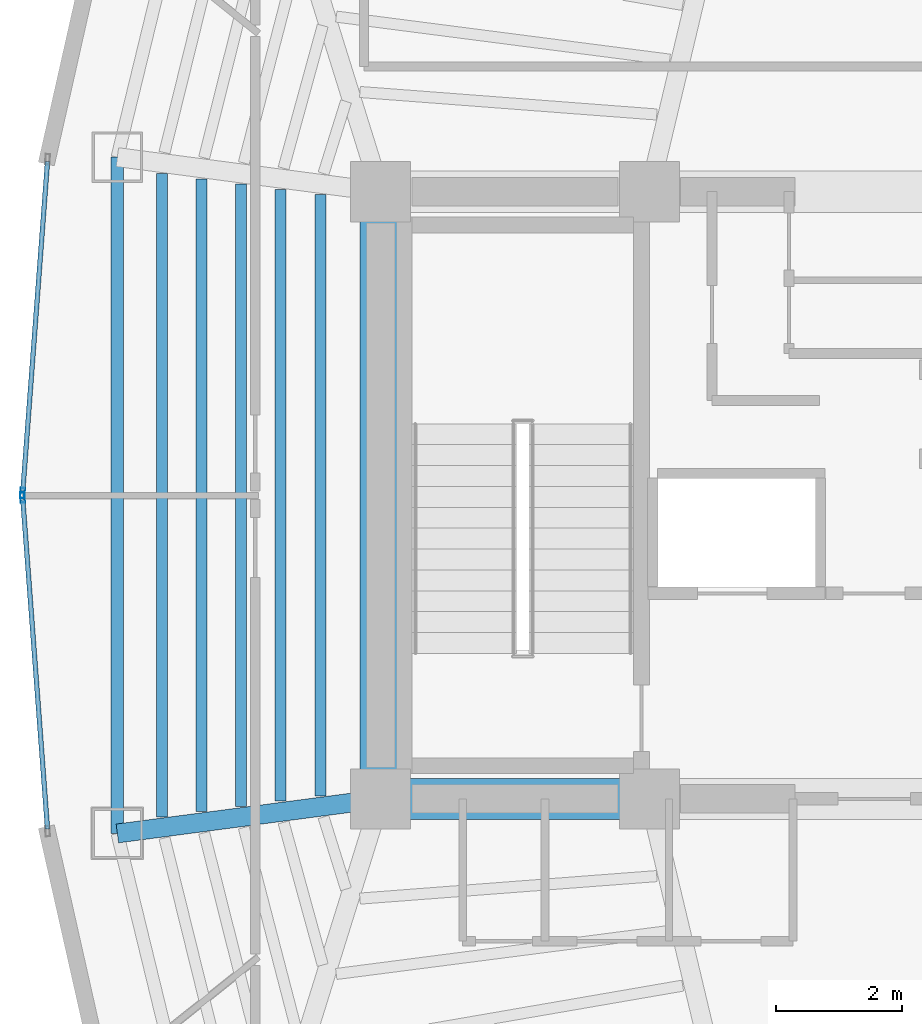
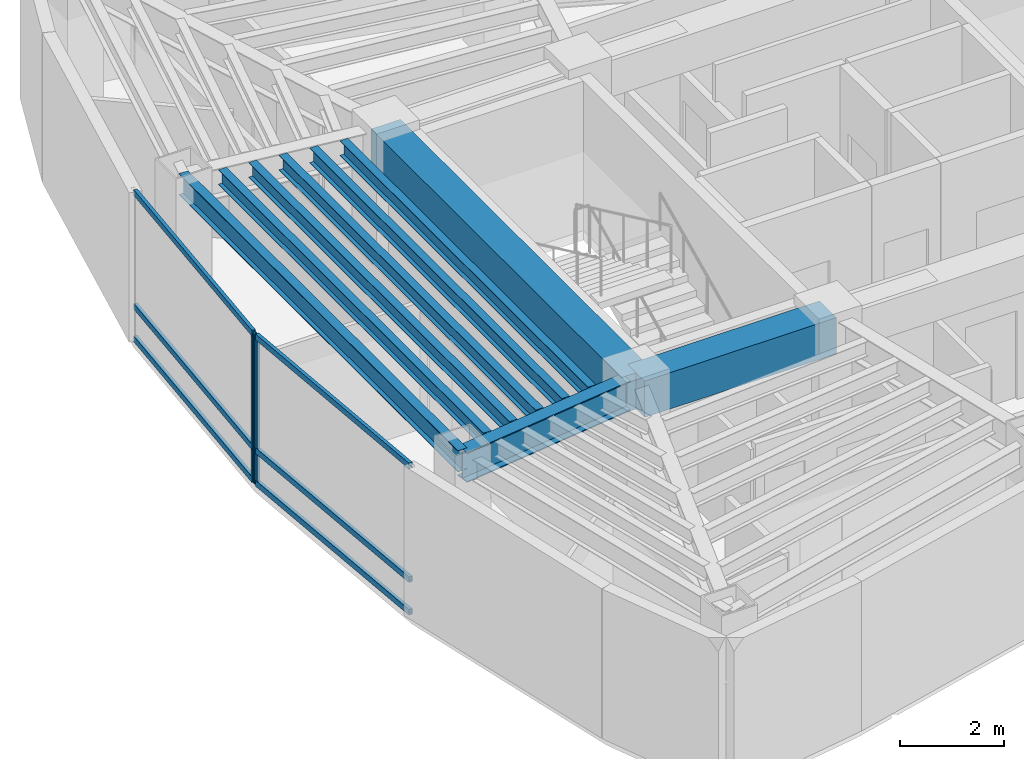
# One storey, part 4 of 15: 9 beams, 8 members, 2 elements without a shape of their own.
"""IFC4 building model written with IfcOpenShell, lengths in metres."""

from ifc_helpers import new_model, si_unit, direction, frame, origin, origin_2d, place, context, subcontext, project, spatial, rectangle, hollow_rectangle, i_section, extrude, material, layer, layer_set, material_profile, profile_set, type_object, element, aggregate, save


model = new_model("IFC4")

# Units and contexts
model_context = context("Model", 3, precision=1e-05, world=origin(), true_north=direction((0.0, 1.0)))
body_context = subcontext(model_context, "Body", "Model", "MODEL_VIEW")
ifc_project = project(units=[si_unit("LENGTHUNIT", "METRE"), si_unit("AREAUNIT", "SQUARE_METRE"), si_unit("VOLUMEUNIT", "CUBIC_METRE"), si_unit("PLANEANGLEUNIT", "RADIAN"), si_unit("MASSUNIT", "GRAM", prefix="KILO")], contexts=[model_context])

# Site, building, storey
site_placement = place(None, origin())
site = spatial("IfcSite", under=ifc_project, at=site_placement, CompositionType="ELEMENT")
building_placement = place(site_placement, origin())
building = spatial("IfcBuilding", under=site, at=building_placement, Name="Menara Vayukalpa", CompositionType="ELEMENT")
storey_placement = place(building_placement, frame((0.0, 0.0, 258.300048828125)))
storey = spatial("IfcBuildingStorey", under=building, at=storey_placement, Name="L65", CompositionType="ELEMENT", Elevation=258.300048828125)

# Beams
ifc_material_1 = material(Name="Concrete C60/75", Category="concrete")
ifc_material_profile_1 = material_profile(ifc_material_1, rectangle(XDim=0.64990234375, YDim=0.85009765625, at=origin_2d()), Name="RC 650x850")
ifc_profile_set_1 = profile_set([ifc_material_profile_1], Name="Concrete C60/75")
beam_type_1 = type_object("IfcBeamType", Name="BM-CB1", PredefinedType="BEAM", material=ifc_profile_set_1)
beam_1_placement = place(storey_placement, frame((17.800048828125, 17.199951171875, 3.074951171875), z_axis=(1.0, 0.0, 0.0), x_axis=(0.0, 1.0, 0.0)))
element("IfcBeam", 1, at=beam_1_placement, inside=storey, type_object=beam_type_1, Name="L65 Core Tie Beam CBR1", PredefinedType="BEAM", context=body_context, shape_type="SweptSolid", body=[
    extrude(rectangle(XDim=0.64990234375, YDim=0.85009765625, at=origin_2d()), origin(), (0.0, 0.0, 1.0), 4.25),
])
beam_2_placement = place(storey_placement, frame((17.800048828125, 17.199951171875, 3.074951171875), z_axis=(0.0, 1.0, 0.0), x_axis=(-1.0, 0.0, 0.0)))
element("IfcBeam", 2, at=beam_2_placement, inside=storey, type_object=beam_type_1, Name="L65 Core Tie Beam CBR7", PredefinedType="BEAM", context=body_context, shape_type="SweptSolid", body=[
    extrude(rectangle(XDim=0.64990234375, YDim=0.85009765625, at=origin_2d()), origin(), (0.0, 0.0, 1.0), 9.60009765625),
])
ifc_material_2 = material(Name="Steel S355", Category="steel")
ifc_material_profile_2 = material_profile(ifc_material_2, i_section(OverallWidth=0.300048828125, OverallDepth=0.699951171875, WebThickness=0.012939453125, FlangeThickness=0.02392578125, at=origin_2d()), Name="WF 700x300x13x24")
ifc_profile_set_2 = profile_set([ifc_material_profile_2], Name="Steel S355")
beam_type_2 = type_object("IfcBeamType", Name="BM-PG5", PredefinedType="BEAM", material=ifc_profile_set_2)
beam_3_placement = place(storey_placement, frame((17.552001953125, 17.16748046875, 3.14990234375), z_axis=(-0.991477860763, -0.130275291662, 0.0), x_axis=(0.130275291662, -0.991477860763, 0.0)))
element("IfcBeam", 3, at=beam_3_placement, inside=storey, type_object=beam_type_2, Name="L65 Primary Radial Girder RG06", PredefinedType="BEAM", context=body_context, shape_type="SweptSolid", body=[
    extrude(i_section(OverallWidth=0.300048828125, OverallDepth=0.699951171875, WebThickness=0.012939453125, FlangeThickness=0.02392578125, at=origin_2d()), origin(), (0.0, 0.0, 1.0), 3.94677734375),
])
ifc_material_3 = material(Name="Steel S355", Category="steel")
ifc_material_profile_3 = material_profile(ifc_material_3, i_section(OverallWidth=0.175048828125, OverallDepth=0.35009765625, WebThickness=0.007080078125, FlangeThickness=0.010986328125, at=origin_2d()), Name="WF 350x175x7x11")
ifc_profile_set_3 = profile_set([ifc_material_profile_3], Name="Steel S355")
beam_type_3 = type_object("IfcBeamType", Name="BM-SJ3", PredefinedType="JOIST", material=ifc_profile_set_3)
beam_4_placement = place(storey_placement, frame((16.84765625, 26.755126953125, 3.324951171875), z_axis=(0.0, -1.0, 0.0), x_axis=(1.0, 0.0, 0.0)))
element("IfcBeam", 4, at=beam_4_placement, inside=storey, type_object=beam_type_3, Name="L65 Secondary Floor Joist SJ05-1", PredefinedType="JOIST", context=body_context, shape_type="SweptSolid", body=[
    extrude(i_section(OverallWidth=0.175048828125, OverallDepth=0.35009765625, WebThickness=0.007080078125, FlangeThickness=0.010986328125, at=origin_2d()), origin(), (0.0, 0.0, 1.0), 9.51025390625),
])
beam_5_placement = place(storey_placement, frame((16.2216796875, 26.83740234375, 3.324951171875), z_axis=(0.0, -1.0, 0.0), x_axis=(1.0, 0.0, 0.0)))
element("IfcBeam", 5, at=beam_5_placement, inside=storey, type_object=beam_type_3, Name="L65 Secondary Floor Joist SJ05-2", PredefinedType="JOIST", context=body_context, shape_type="SweptSolid", body=[
    extrude(i_section(OverallWidth=0.175048828125, OverallDepth=0.35009765625, WebThickness=0.007080078125, FlangeThickness=0.010986328125, at=origin_2d()), origin(), (0.0, 0.0, 1.0), 9.6748046875),
])
beam_6_placement = place(storey_placement, frame((15.595458984375, 26.919677734375, 3.324951171875), z_axis=(0.0, -1.0, 0.0), x_axis=(1.0, 0.0, 0.0)))
element("IfcBeam", 6, at=beam_6_placement, inside=storey, type_object=beam_type_3, Name="L65 Secondary Floor Joist SJ05-3", PredefinedType="JOIST", context=body_context, shape_type="SweptSolid", body=[
    extrude(i_section(OverallWidth=0.175048828125, OverallDepth=0.35009765625, WebThickness=0.007080078125, FlangeThickness=0.010986328125, at=origin_2d()), origin(), (0.0, 0.0, 1.0), 9.83935546875),
])
beam_7_placement = place(storey_placement, frame((14.969482421875, 27.001953125, 3.324951171875), z_axis=(0.0, -1.0, 0.0), x_axis=(1.0, 0.0, 0.0)))
element("IfcBeam", 7, at=beam_7_placement, inside=storey, type_object=beam_type_3, Name="L65 Secondary Floor Joist SJ05-4", PredefinedType="JOIST", context=body_context, shape_type="SweptSolid", body=[
    extrude(i_section(OverallWidth=0.175048828125, OverallDepth=0.35009765625, WebThickness=0.007080078125, FlangeThickness=0.010986328125, at=origin_2d()), origin(), (0.0, 0.0, 1.0), 10.00390625),
])
beam_8_placement = place(storey_placement, frame((14.343505859375, 27.084228515625, 3.324951171875), z_axis=(0.0, -1.0, 0.0), x_axis=(1.0, 0.0, 0.0)))
element("IfcBeam", 8, at=beam_8_placement, inside=storey, type_object=beam_type_3, Name="L65 Secondary Floor Joist SJ05-5", PredefinedType="JOIST", context=body_context, shape_type="SweptSolid", body=[
    extrude(i_section(OverallWidth=0.175048828125, OverallDepth=0.35009765625, WebThickness=0.007080078125, FlangeThickness=0.010986328125, at=origin_2d()), origin(), (0.0, 0.0, 1.0), 10.16845703125),
])
ifc_material_4 = material(Name="Steel S355", Category="steel")
ifc_material_profile_4 = material_profile(ifc_material_4, i_section(OverallWidth=0.199951171875, OverallDepth=0.5, WebThickness=0.010009765625, FlangeThickness=0.01611328125, at=origin_2d()), Name="WF 500x200x10x16")
ifc_profile_set_4 = profile_set([ifc_material_profile_4], Name="Steel S355")
beam_type_4 = type_object("IfcBeamType", Name="BM-SP3", PredefinedType="SPANDREL", material=ifc_profile_set_4)
beam_9_placement = place(storey_placement, frame((13.638916015625, 27.3466796875, 3.25), z_axis=(0.0, -1.0, 0.0), x_axis=(1.0, 0.0, 0.0)))
element("IfcBeam", 9, at=beam_9_placement, inside=storey, type_object=beam_type_4, Name="L65 Perimeter Spandrel Beam SP05", PredefinedType="SPANDREL", context=body_context, shape_type="SweptSolid", body=[
    extrude(i_section(OverallWidth=0.199951171875, OverallDepth=0.5, WebThickness=0.010009765625, FlangeThickness=0.01611328125, at=origin_2d()), origin(), (0.0, 0.0, 1.0), 10.693359375),
])

# Curtain wall, member
ifc_material_5 = material(Name="Anodised Terracotta Aluminium Alloy 6063-T6", Category="masonry")
ifc_layer = layer(ifc_material_5, 0.1650390625)
ifc_layer_set = layer_set([ifc_layer], Name="Anodised Terracotta Aluminium Alloy 6063-T6")
curtain_wall_type = type_object("IfcCurtainWallType", Name="CW-CW6", PredefinedType="USERDEFINED", material=ifc_layer_set)
curtain_wall_1_placement = place(storey_placement, origin())
curtain_wall_1 = element("IfcCurtainWall", 10, at=curtain_wall_1_placement, inside=storey, type_object=curtain_wall_type, Name="L65 Observation and Executive Curtain Wall CW6 10", ObjectType="UNITISED", PredefinedType="USERDEFINED")
ifc_material_6 = material(Name="Anodised Terracotta Aluminium Alloy 6063-T6", Category="masonry")
ifc_material_profile_5 = material_profile(ifc_material_6, hollow_rectangle(XDim=0.070068359375, YDim=0.1650390625, WallThickness=0.00390625, at=origin_2d()), Name="ALU 70x165x4")
ifc_profile_set_5 = profile_set([ifc_material_profile_5], Name="Anodised Terracotta Aluminium Alloy 6063-T6")
member_type_1 = type_object("IfcMemberType", Name="CWM-CW6", PredefinedType="MULLION", material=ifc_profile_set_5)
member_1_placement = place(storey_placement, frame((12.140625, 22.034912109375, 0.0), z_axis=(0.0, 0.0, 1.0), x_axis=(0.997199344663, -0.074789484574, 0.0)))
member_1 = element("IfcMember", 11, at=member_1_placement, type_object=member_type_1, Name="CW6 mullion 2", PredefinedType="MULLION", context=body_context, shape_type="SweptSolid", body=[
    extrude(hollow_rectangle(XDim=0.070068359375, YDim=0.1650390625, WallThickness=0.00390625, at=origin_2d()), origin(), (0.0, 0.0, 1.0), 3.5),
])

curtain_wall_2_placement = place(storey_placement, origin())
curtain_wall_2 = element("IfcCurtainWall", 12, at=curtain_wall_2_placement, inside=storey, type_object=curtain_wall_type, Name="L65 Observation and Executive Curtain Wall CW6 11", ObjectType="UNITISED", PredefinedType="USERDEFINED")
member_2_placement = place(storey_placement, frame((12.140625, 21.965087890625, 0.0), z_axis=(0.0, 0.0, 1.0), x_axis=(0.997199344663, 0.074789484574, 0.0)))
member_2 = element("IfcMember", 13, at=member_2_placement, type_object=member_type_1, Name="CW6 mullion 1", PredefinedType="MULLION", context=body_context, shape_type="SweptSolid", body=[
    extrude(hollow_rectangle(XDim=0.070068359375, YDim=0.1650390625, WallThickness=0.00390625, at=origin_2d()), origin(), (0.0, 0.0, 1.0), 3.5),
])

# Member
ifc_material_7 = material(Name="Anodised Terracotta Aluminium Alloy 6063-T6", Category="masonry")
ifc_material_profile_6 = material_profile(ifc_material_7, hollow_rectangle(XDim=0.074951171875, YDim=0.135009765625, WallThickness=0.00390625, at=origin_2d()), Name="ALU 75x135x4")
ifc_profile_set_6 = profile_set([ifc_material_profile_6], Name="Anodised Terracotta Aluminium Alloy 6063-T6")
member_type_2 = type_object("IfcMemberType", Name="CWT-CW6", PredefinedType="USERDEFINED", material=ifc_profile_set_6)
member_3_placement = place(storey_placement, frame((12.53369140625, 27.27685546875, 0.037353515625), z_axis=(-0.074762051827, -0.997201401727, 0.0), x_axis=(0.997201401727, -0.074762051827, 0.0)))
member_3 = element("IfcMember", 14, at=member_3_placement, type_object=member_type_2, Name="CW6 transom 1.1", ObjectType="TRANSOM", PredefinedType="USERDEFINED", context=body_context, shape_type="SweptSolid", body=[
    extrude(hollow_rectangle(XDim=0.074951171875, YDim=0.135009765625, WallThickness=0.00390625, at=origin_2d()), origin(), (0.0, 0.0, 1.0), 5.2216796875),
])

member_4_placement = place(storey_placement, frame((12.53369140625, 27.27685546875, 0.800048828125), z_axis=(-0.074762051827, -0.997201401727, 0.0), x_axis=(0.997201401727, -0.074762051827, 0.0)))
member_4 = element("IfcMember", 15, at=member_4_placement, type_object=member_type_2, Name="CW6 transom 1.2", ObjectType="TRANSOM", PredefinedType="USERDEFINED", context=body_context, shape_type="SweptSolid", body=[
    extrude(hollow_rectangle(XDim=0.074951171875, YDim=0.135009765625, WallThickness=0.00390625, at=origin_2d()), origin(), (0.0, 0.0, 1.0), 5.2216796875),
])

member_5_placement = place(storey_placement, frame((12.53369140625, 27.27685546875, 3.46240234375), z_axis=(-0.074762051827, -0.997201401727, 0.0), x_axis=(0.997201401727, -0.074762051827, 0.0)))
member_5 = element("IfcMember", 16, at=member_5_placement, type_object=member_type_2, Name="CW6 transom 1.3", ObjectType="TRANSOM", PredefinedType="USERDEFINED", context=body_context, shape_type="SweptSolid", body=[
    extrude(hollow_rectangle(XDim=0.074951171875, YDim=0.135009765625, WallThickness=0.00390625, at=origin_2d()), origin(), (0.0, 0.0, 1.0), 5.2216796875),
])

aggregate(curtain_wall_1, [member_1, member_3, member_4, member_5])

member_6_placement = place(storey_placement, frame((12.143310546875, 21.93017578125, 0.037353515625), z_axis=(0.074762051827, -0.997201401727, 0.0), x_axis=(0.997201401727, 0.074762051827, 0.0)))
member_6 = element("IfcMember", 17, at=member_6_placement, type_object=member_type_2, Name="CW6 transom 1.1", ObjectType="TRANSOM", PredefinedType="USERDEFINED", context=body_context, shape_type="SweptSolid", body=[
    extrude(hollow_rectangle(XDim=0.074951171875, YDim=0.135009765625, WallThickness=0.00390625, at=origin_2d()), origin(), (0.0, 0.0, 1.0), 5.2216796875),
])

member_7_placement = place(storey_placement, frame((12.143310546875, 21.93017578125, 0.800048828125), z_axis=(0.074762051827, -0.997201401727, 0.0), x_axis=(0.997201401727, 0.074762051827, 0.0)))
member_7 = element("IfcMember", 18, at=member_7_placement, type_object=member_type_2, Name="CW6 transom 1.2", ObjectType="TRANSOM", PredefinedType="USERDEFINED", context=body_context, shape_type="SweptSolid", body=[
    extrude(hollow_rectangle(XDim=0.074951171875, YDim=0.135009765625, WallThickness=0.00390625, at=origin_2d()), origin(), (0.0, 0.0, 1.0), 5.2216796875),
])

member_8_placement = place(storey_placement, frame((12.143310546875, 21.93017578125, 3.46240234375), z_axis=(0.074762051827, -0.997201401727, 0.0), x_axis=(0.997201401727, 0.074762051827, 0.0)))
member_8 = element("IfcMember", 19, at=member_8_placement, type_object=member_type_2, Name="CW6 transom 1.3", ObjectType="TRANSOM", PredefinedType="USERDEFINED", context=body_context, shape_type="SweptSolid", body=[
    extrude(hollow_rectangle(XDim=0.074951171875, YDim=0.135009765625, WallThickness=0.00390625, at=origin_2d()), origin(), (0.0, 0.0, 1.0), 5.2216796875),
])

aggregate(curtain_wall_2, [member_2, member_6, member_7, member_8])

save(model, "model.ifc")
